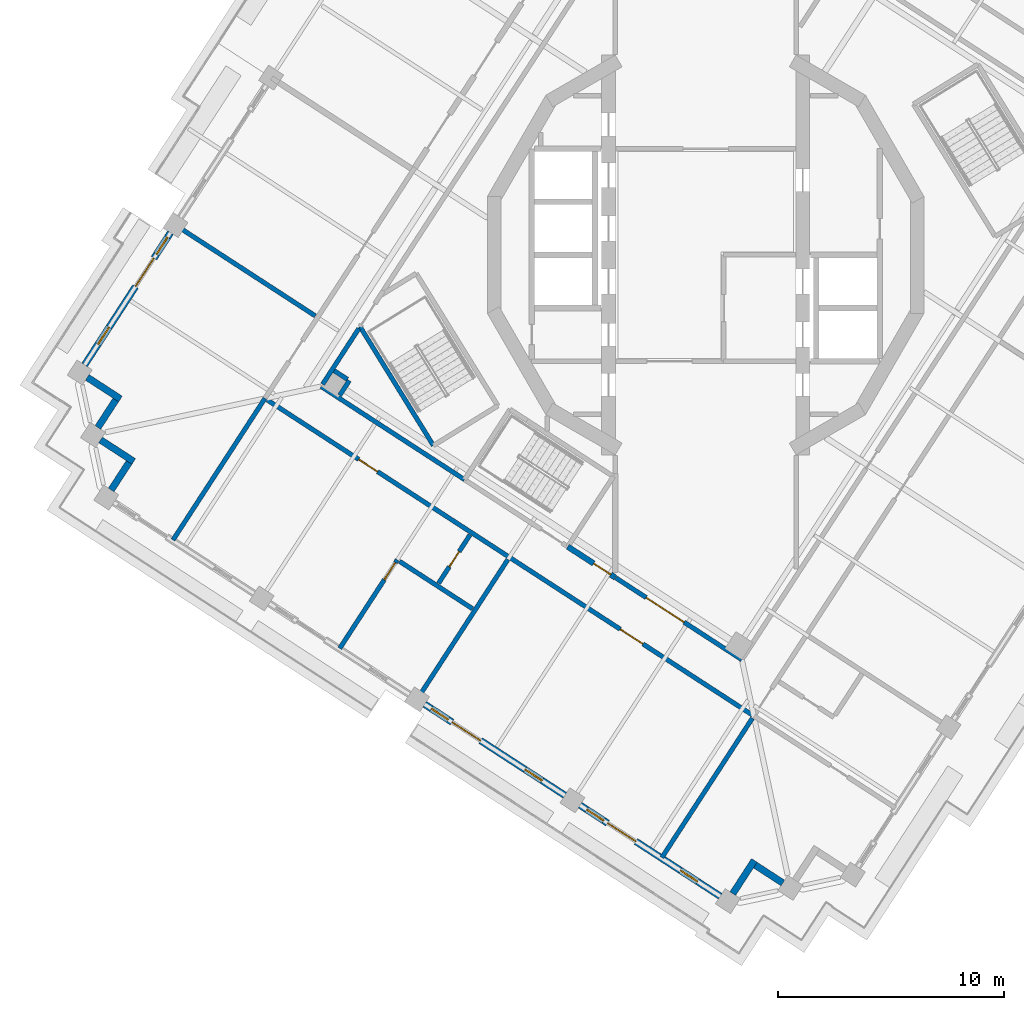
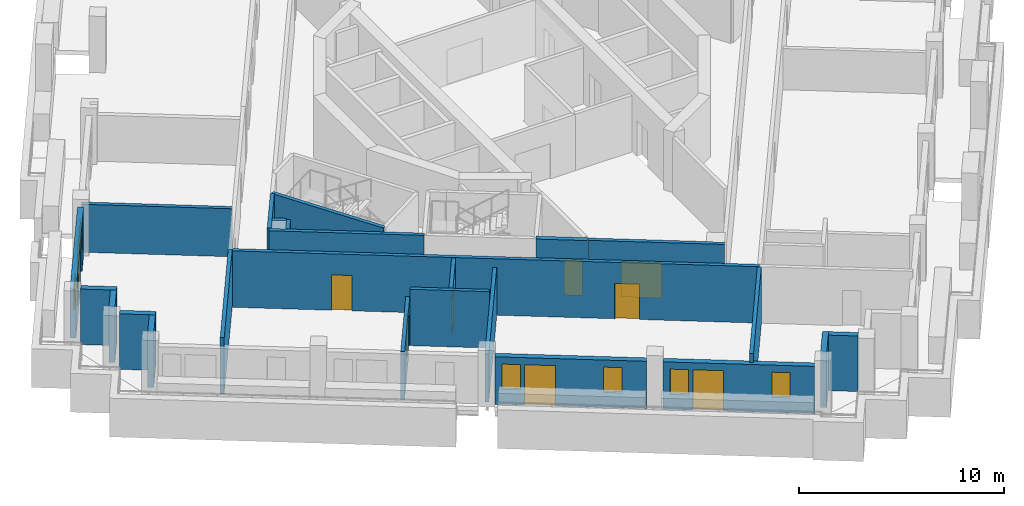
# One storey, part 4 of 15: 24 walls, 9 doors, 6 windows, 15 openings.
"""IFC4 building model written with IfcOpenShell, lengths in metres."""

from ifc_helpers import new_model, si_unit, direction, frame, frame_2d, origin, place, context, subcontext, project, spatial, rectangle, extrude, material, layer, layer_set, type_object, element, fill, save


model = new_model("IFC4")

# Units and contexts
model_context = context("Model", 3, precision=1e-05, world=origin(), true_north=direction((0.0, 1.0)))
body_context = subcontext(model_context, "Body", "Model", "MODEL_VIEW")
ifc_project = project(units=[si_unit("LENGTHUNIT", "METRE"), si_unit("AREAUNIT", "SQUARE_METRE"), si_unit("VOLUMEUNIT", "CUBIC_METRE"), si_unit("PLANEANGLEUNIT", "RADIAN"), si_unit("MASSUNIT", "GRAM", prefix="KILO")], contexts=[model_context])

# Site, building, storey
site_placement = place(None, origin())
site = spatial("IfcSite", under=ifc_project, at=site_placement, CompositionType="ELEMENT")
building_placement = place(site_placement, origin())
building = spatial("IfcBuilding", under=site, at=building_placement, Name="Cantera Rosa Tower", CompositionType="ELEMENT")
storey_placement = place(building_placement, frame((0.0, 0.0, 282.89990234375)))
storey = spatial("IfcBuildingStorey", under=building, at=storey_placement, Name="L64", CompositionType="ELEMENT", Elevation=282.89990234375)

# Wall, openings, doors
ifc_material_1 = material(Name="Gypsum board partition")
ifc_layer_1 = layer(ifc_material_1, 0.199951171875)
ifc_layer_set_1 = layer_set([ifc_layer_1], Name="CORRIDOR WALL 200 H3350")
wall_type_1 = type_object("IfcWallType", Name="CORRIDOR WALL 200 H3350", PredefinedType="PARTITIONING", material=ifc_layer_set_1)
wall_1_placement = place(storey_placement, frame((-19.4052734375, -6.416259765625, 0.0), z_axis=(0.0, 0.0, 1.0), x_axis=(0.83867117695, -0.544638097229, 0.0)))
wall_1 = element("IfcWall", 1, at=wall_1_placement, inside=storey, type_object=wall_type_1, Name="CORRIDOR WALL L64-002", PredefinedType="PARTITIONING", context=body_context, shape_type="SweptSolid", body=[
    extrude(rectangle(XDim=25.679931640625, YDim=0.199951171875, at=frame_2d((12.83984375, 0.0))), origin(), (0.0, 0.0, 1.0), 3.35009765625),
])
opening_1_placement = place(wall_1_placement, frame((18.6298828125, 0.0, 0.0)))
opening_1 = element("IfcOpeningElement", 2, at=opening_1_placement, cuts=wall_1, Name="Opening L64-029", PredefinedType="OPENING", context=body_context, shape_type="SweptSolid", body=[
    extrude(rectangle(XDim=1.199951171875, YDim=2.10009765625, at=frame_2d((0.60009765625, 1.050048828125))), frame((0.0, 0.10986328125, 0.0), z_axis=(0.0, -1.0, 0.0), x_axis=(1.0, 0.0, 0.0)), (0.0, 0.0, 1.0), 0.219970703125),
])
opening_2_placement = place(wall_1_placement, frame((4.830078125, 0.0, 0.0)))
opening_2 = element("IfcOpeningElement", 3, at=opening_2_placement, cuts=wall_1, Name="Opening L64-030", PredefinedType="OPENING", context=body_context, shape_type="SweptSolid", body=[
    extrude(rectangle(XDim=1.0, YDim=2.10009765625, at=frame_2d((0.5, 1.050048828125))), frame((0.0, 0.10986328125, 0.0), z_axis=(0.0, -1.0, 0.0), x_axis=(1.0, 0.0, 0.0)), (0.0, 0.0, 1.0), 0.219970703125),
])
ifc_material_2 = material(Name="Timber door leaf", Category="wood")
door_type_1 = type_object("IfcDoorType", Name="ENTRANCE DOOR 1000x2100", OperationType="NOTDEFINED", PredefinedType="DOOR", material=ifc_material_2)
door_1_placement = place(opening_2_placement, origin())
door_1 = element("IfcDoor", 4, at=door_1_placement, inside=storey, type_object=door_type_1, Name="DOOR L64-030", OperationType="NOTDEFINED", OverallHeight=2.10009765625, OverallWidth=1.0, PredefinedType="DOOR", context=body_context, shape_type="SweptSolid", body=[
    extrude(rectangle(XDim=1.0, YDim=2.10009765625, at=frame_2d((0.5, 1.050048828125))), frame((0.0, 0.02490234375, 0.0), z_axis=(0.0, -1.0, 0.0), x_axis=(1.0, 0.0, 0.0)), (0.0, 0.0, 1.0), 0.050048828125),
])
fill(opening_2, door_1)
ifc_material_3 = material(Name="Timber door leaf", Category="wood")
door_type_2 = type_object("IfcDoorType", Name="ROOM DOOR 1200x2100", OperationType="NOTDEFINED", PredefinedType="DOOR", material=ifc_material_3)
door_2_placement = place(opening_1_placement, origin())
door_2 = element("IfcDoor", 5, at=door_2_placement, inside=storey, type_object=door_type_2, Name="DOOR L64-029", OperationType="NOTDEFINED", OverallHeight=2.10009765625, OverallWidth=1.199951171875, PredefinedType="DOOR", context=body_context, shape_type="SweptSolid", body=[
    extrude(rectangle(XDim=1.199951171875, YDim=2.10009765625, at=frame_2d((0.60009765625, 1.050048828125))), frame((0.0, 0.02490234375, 0.0), z_axis=(0.0, -1.0, 0.0), x_axis=(1.0, 0.0, 0.0)), (0.0, 0.0, 1.0), 0.050048828125),
])
fill(opening_1, door_2)

# Walls
wall_2_placement = place(storey_placement, frame((-17.015869140625, -5.82177734375, 0.0), z_axis=(0.0, 0.0, 1.0), x_axis=(0.838672854678, -0.544635513739, 0.0)))
element("IfcWall", 6, at=wall_2_placement, inside=storey, type_object=wall_type_1, Name="CORRIDOR WALL L64-005", PredefinedType="PARTITIONING", context=body_context, shape_type="SweptSolid", body=[
    extrude(rectangle(XDim=7.56494140625, YDim=0.199951171875, at=frame_2d((3.782470703125, 0.0))), origin(), (0.0, 0.0, 1.0), 3.35009765625),
])
wall_3_placement = place(storey_placement, frame((-15.349853515625, -3.256103515625, 0.0), z_axis=(0.0, 0.0, 1.0), x_axis=(-0.544576607641, -0.838711105453, 0.0)))
element("IfcWall", 7, at=wall_3_placement, inside=storey, type_object=wall_type_1, Name="CORRIDOR WALL L64-009", PredefinedType="PARTITIONING", context=body_context, shape_type="SweptSolid", body=[
    extrude(rectangle(XDim=2.939208984375, YDim=0.199951171875, at=frame_2d((1.4697265625, 0.0))), origin(), (0.0, 0.0, 1.0), 3.35009765625),
])

# Wall, opening, door
wall_4_placement = place(storey_placement, frame((-3.983154296875, -14.28515625, 0.0), z_axis=(0.0, 0.0, 1.0), x_axis=(0.838667157642, -0.544644286387, 0.0)))
wall_4 = element("IfcWall", 8, at=wall_4_placement, inside=storey, type_object=wall_type_1, Name="CORRIDOR WALL L64-037", PredefinedType="PARTITIONING", context=body_context, shape_type="SweptSolid", body=[
    extrude(rectangle(XDim=6.66015625, YDim=0.199951171875, at=frame_2d((3.330078125, 0.0))), origin(), (0.0, 0.0, 1.0), 3.35009765625),
])
opening_3_placement = place(wall_4_placement, frame((1.6103515625, 0.0, 0.0)))
opening_3 = element("IfcOpeningElement", 9, at=opening_3_placement, cuts=wall_4, Name="Opening L64-010", PredefinedType="OPENING", context=body_context, shape_type="SweptSolid", body=[
    extrude(rectangle(XDim=2.0, YDim=2.10009765625, at=frame_2d((1.0, 1.050048828125))), frame((0.0, 0.10986328125, 0.0), z_axis=(0.0, -1.0, 0.0), x_axis=(1.0, 0.0, 0.0)), (0.0, 0.0, 1.0), 0.219970703125),
])
ifc_material_4 = material(Name="Steel S355J2 (EN 10025-2)", Category="steel")
door_type_3 = type_object("IfcDoorType", Name="LOBBY SCREEN DOOR 2000x2100", OperationType="NOTDEFINED", PredefinedType="DOOR", material=ifc_material_4)
door_3_placement = place(opening_3_placement, origin())
door_3 = element("IfcDoor", 10, at=door_3_placement, inside=storey, type_object=door_type_3, Name="DOOR L64-010", OperationType="NOTDEFINED", OverallHeight=2.10009765625, OverallWidth=2.0, PredefinedType="DOOR", context=body_context, shape_type="SweptSolid", body=[
    extrude(rectangle(XDim=2.0, YDim=2.10009765625, at=frame_2d((1.0, 1.050048828125))), frame((0.0, 0.02490234375, 0.0), z_axis=(0.0, -1.0, 0.0), x_axis=(1.0, 0.0, 0.0)), (0.0, 0.0, 1.0), 0.050048828125),
])
fill(opening_3, door_3)

# Walls
ifc_material_5 = material(Name="Hollow clay masonry with cantera stone cladding", Category="masonry")
ifc_layer_2 = layer(ifc_material_5, 0.300048828125)
ifc_layer_set_2 = layer_set([ifc_layer_2], Name="EW-LOGGIA 300")
wall_type_2 = type_object("IfcWallType", Name="EW-LOGGIA 300", PredefinedType="SOLIDWALL", material=ifc_layer_set_2)
wall_5_placement = place(storey_placement, frame((-27.36669921875, -5.41943359375, 0.0), z_axis=(0.0, 0.0, 1.0), x_axis=(0.838685761837, -0.54461563776, 0.0)))
element("IfcWall", 11, at=wall_5_placement, inside=storey, type_object=wall_type_2, Name="EN-L64-W12a", PredefinedType="SOLIDWALL", context=body_context, shape_type="SweptSolid", body=[
    extrude(rectangle(XDim=1.75, YDim=0.300048828125, at=frame_2d((0.875, 0.0))), origin(), (0.0, 0.0, 1.0), 3.300048828125),
])
wall_6_placement = place(storey_placement, frame((-26.1064453125, -6.41650390625, 0.0), z_axis=(0.0, 0.0, 1.0), x_axis=(-0.54467465438, -0.838647435384, 0.0)))
element("IfcWall", 12, at=wall_6_placement, inside=storey, type_object=wall_type_2, Name="EN-L64-W12b", PredefinedType="SOLIDWALL", context=body_context, shape_type="SweptSolid", body=[
    extrude(rectangle(XDim=1.449951171875, YDim=0.300048828125, at=frame_2d((0.72509765625, 0.0))), origin(), (0.0, 0.0, 1.0), 3.300048828125),
])
wall_7_placement = place(storey_placement, frame((-26.778564453125, -8.18603515625, 0.0), z_axis=(0.0, 0.0, 1.0), x_axis=(0.838685761837, -0.54461563776, 0.0)))
element("IfcWall", 13, at=wall_7_placement, inside=storey, type_object=wall_type_2, Name="EN-L64-W13a", PredefinedType="SOLIDWALL", context=body_context, shape_type="SweptSolid", body=[
    extrude(rectangle(XDim=1.75, YDim=0.300048828125, at=frame_2d((0.875, 0.0))), origin(), (0.0, 0.0, 1.0), 3.300048828125),
])
wall_8_placement = place(storey_placement, frame((-25.518310546875, -9.18310546875, 0.0), z_axis=(0.0, 0.0, 1.0), x_axis=(-0.54467465438, -0.838647435384, 0.0)))
element("IfcWall", 14, at=wall_8_placement, inside=storey, type_object=wall_type_2, Name="EN-L64-W13b", PredefinedType="SOLIDWALL", context=body_context, shape_type="SweptSolid", body=[
    extrude(rectangle(XDim=1.449951171875, YDim=0.300048828125, at=frame_2d((0.72509765625, 0.0))), origin(), (0.0, 0.0, 1.0), 3.300048828125),
])
wall_9_placement = place(storey_placement, frame((1.2001953125, -28.263427734375, 0.0), z_axis=(0.0, 0.0, 1.0), x_axis=(0.54461563776, 0.838685761837, 0.0)))
element("IfcWall", 15, at=wall_9_placement, inside=storey, type_object=wall_type_2, Name="EN-L64-W18a", PredefinedType="SOLIDWALL", context=body_context, shape_type="SweptSolid", body=[
    extrude(rectangle(XDim=1.75, YDim=0.300048828125, at=frame_2d((0.875, 0.0))), origin(), (0.0, 0.0, 1.0), 3.300048828125),
])
wall_10_placement = place(storey_placement, frame((2.197509765625, -27.003173828125, 0.0), z_axis=(0.0, 0.0, 1.0), x_axis=(0.838647435384, -0.54467465438, 0.0)))
element("IfcWall", 16, at=wall_10_placement, inside=storey, type_object=wall_type_2, Name="EN-L64-W18b", PredefinedType="SOLIDWALL", context=body_context, shape_type="SweptSolid", body=[
    extrude(rectangle(XDim=1.449951171875, YDim=0.300048828125, at=frame_2d((0.72509765625, 0.0))), origin(), (0.0, 0.0, 1.0), 3.300048828125),
])

# Wall, openings, windows, door
ifc_material_6 = material(Name="Hollow clay masonry with cantera stone cladding", Category="masonry")
ifc_layer_3 = layer(ifc_material_6, 0.300048828125)
ifc_layer_set_3 = layer_set([ifc_layer_3], Name="EW-LOGGIA 300 H2820")
wall_type_3 = type_object("IfcWallType", Name="EW-LOGGIA 300 H2820", PredefinedType="SOLIDWALL", material=ifc_layer_set_3)
wall_11_placement = place(storey_placement, frame((-12.436279296875, -19.884765625, 0.0), z_axis=(0.0, 0.0, 1.0), x_axis=(0.838669679097, -0.544640403719, 0.0)))
wall_11 = element("IfcWall", 17, at=wall_11_placement, inside=storey, type_object=wall_type_3, Name="EN-L64-W16", PredefinedType="SOLIDWALL", context=body_context, shape_type="SweptSolid", body=[
    extrude(rectangle(XDim=7.39990234375, YDim=0.300048828125, at=frame_2d((3.699951171875, 0.0))), origin(), (0.0, 0.0, 1.0), 2.820068359375),
])
opening_4_placement = place(wall_11_placement, frame((0.35009765625, 0.0, 0.89990234375)))
opening_4 = element("IfcOpeningElement", 18, at=opening_4_placement, cuts=wall_11, Name="Opening L64-W28", PredefinedType="OPENING", context=body_context, shape_type="SweptSolid", body=[
    extrude(rectangle(XDim=0.89990234375, YDim=1.5, at=frame_2d((0.449951171875, 0.75))), frame((0.0, 0.159912109375, 0.0), z_axis=(0.0, -1.0, 0.0), x_axis=(1.0, 0.0, 0.0)), (0.0, 0.0, 1.0), 0.320068359375),
])
opening_5_placement = place(wall_11_placement, frame((1.449951171875, 0.0, 0.0)))
opening_5 = element("IfcOpeningElement", 19, at=opening_5_placement, cuts=wall_11, Name="Opening L64-TD29", PredefinedType="OPENING", context=body_context, shape_type="SweptSolid", body=[
    extrude(rectangle(XDim=1.5, YDim=2.39990234375, at=frame_2d((0.75, 1.199951171875))), frame((0.0, 0.159912109375, 0.0), z_axis=(0.0, -1.0, 0.0), x_axis=(1.0, 0.0, 0.0)), (0.0, 0.0, 1.0), 0.320068359375),
])
opening_6_placement = place(wall_11_placement, frame((5.300048828125, 0.0, 0.89990234375)))
opening_6 = element("IfcOpeningElement", 20, at=opening_6_placement, cuts=wall_11, Name="Opening L64-W30", PredefinedType="OPENING", context=body_context, shape_type="SweptSolid", body=[
    extrude(rectangle(XDim=0.89990234375, YDim=1.5, at=frame_2d((0.449951171875, 0.75))), frame((0.0, 0.159912109375, 0.0), z_axis=(0.0, -1.0, 0.0), x_axis=(1.0, 0.0, 0.0)), (0.0, 0.0, 1.0), 0.320068359375),
])
ifc_material_7 = material(Name="Aluminium frame with clear glass", Category="aluminium")
window_type = type_object("IfcWindowType", Name="Residential window 900x1500", PartitioningType="SINGLE_PANEL", PredefinedType="WINDOW", material=ifc_material_7)
window_1_placement = place(opening_4_placement, origin())
window_1 = element("IfcWindow", 21, at=window_1_placement, inside=storey, type_object=window_type, Name="WINDOW L64-W28", OverallHeight=1.5, OverallWidth=0.89990234375, PartitioningType="SINGLE_PANEL", PredefinedType="WINDOW", context=body_context, shape_type="SweptSolid", body=[
    extrude(rectangle(XDim=0.89990234375, YDim=1.5, at=frame_2d((0.449951171875, 0.75))), frame((0.0, 0.030029296875, 0.0), z_axis=(0.0, -1.0, 0.0), x_axis=(1.0, 0.0, 0.0)), (0.0, 0.0, 1.0), 0.06005859375),
])
fill(opening_4, window_1)
window_2_placement = place(opening_6_placement, origin())
window_2 = element("IfcWindow", 22, at=window_2_placement, inside=storey, type_object=window_type, Name="WINDOW L64-W30", OverallHeight=1.5, OverallWidth=0.89990234375, PartitioningType="SINGLE_PANEL", PredefinedType="WINDOW", context=body_context, shape_type="SweptSolid", body=[
    extrude(rectangle(XDim=0.89990234375, YDim=1.5, at=frame_2d((0.449951171875, 0.75))), frame((0.0, 0.030029296875, 0.0), z_axis=(0.0, -1.0, 0.0), x_axis=(1.0, 0.0, 0.0)), (0.0, 0.0, 1.0), 0.06005859375),
])
fill(opening_6, window_2)
ifc_material_8 = material(Name="Aluminium frame with clear glass", Category="aluminium")
door_type_4 = type_object("IfcDoorType", Name="TD-R 1500x2400", OperationType="NOTDEFINED", PredefinedType="DOOR", material=ifc_material_8)
door_4_placement = place(opening_5_placement, origin())
door_4 = element("IfcDoor", 23, at=door_4_placement, inside=storey, type_object=door_type_4, Name="LOGGIA DOOR L64-TD29", OperationType="SLIDING_TO_LEFT", OverallHeight=2.39990234375, OverallWidth=1.5, PredefinedType="DOOR", context=body_context, shape_type="SweptSolid", body=[
    extrude(rectangle(XDim=1.5, YDim=2.39990234375, at=frame_2d((0.75, 1.199951171875))), frame((0.0, 0.02490234375, 0.0), z_axis=(0.0, -1.0, 0.0), x_axis=(1.0, 0.0, 0.0)), (0.0, 0.0, 1.0), 0.050048828125),
])
fill(opening_5, door_4)

wall_12_placement = place(storey_placement, frame((-5.559326171875, -24.350830078125, 0.0), z_axis=(0.0, 0.0, 1.0), x_axis=(0.838679465365, -0.544625333946, 0.0)))
wall_12 = element("IfcWall", 24, at=wall_12_placement, inside=storey, type_object=wall_type_3, Name="EN-L64-W17", PredefinedType="SOLIDWALL", context=body_context, shape_type="SweptSolid", body=[
    extrude(rectangle(XDim=7.400146484375, YDim=0.300048828125, at=frame_2d((3.7001953125, 0.0))), origin(), (0.0, 0.0, 1.0), 2.820068359375),
])
opening_7_placement = place(wall_12_placement, frame((0.35009765625, 0.0, 0.89990234375)))
opening_7 = element("IfcOpeningElement", 25, at=opening_7_placement, cuts=wall_12, Name="Opening L64-W31", PredefinedType="OPENING", context=body_context, shape_type="SweptSolid", body=[
    extrude(rectangle(XDim=0.89990234375, YDim=1.5, at=frame_2d((0.449951171875, 0.75))), frame((0.0, 0.159912109375, 0.0), z_axis=(0.0, -1.0, 0.0), x_axis=(1.0, 0.0, 0.0)), (0.0, 0.0, 1.0), 0.320068359375),
])
opening_8_placement = place(wall_12_placement, frame((1.449951171875, 0.0, 0.0)))
opening_8 = element("IfcOpeningElement", 26, at=opening_8_placement, cuts=wall_12, Name="Opening L64-TD32", PredefinedType="OPENING", context=body_context, shape_type="SweptSolid", body=[
    extrude(rectangle(XDim=1.5, YDim=2.39990234375, at=frame_2d((0.75, 1.199951171875))), frame((0.0, 0.159912109375, 0.0), z_axis=(0.0, -1.0, 0.0), x_axis=(1.0, 0.0, 0.0)), (0.0, 0.0, 1.0), 0.320068359375),
])
opening_9_placement = place(wall_12_placement, frame((5.300048828125, 0.0, 0.89990234375)))
opening_9 = element("IfcOpeningElement", 27, at=opening_9_placement, cuts=wall_12, Name="Opening L64-W33", PredefinedType="OPENING", context=body_context, shape_type="SweptSolid", body=[
    extrude(rectangle(XDim=0.89990234375, YDim=1.5, at=frame_2d((0.449951171875, 0.75))), frame((0.0, 0.159912109375, 0.0), z_axis=(0.0, -1.0, 0.0), x_axis=(1.0, 0.0, 0.0)), (0.0, 0.0, 1.0), 0.320068359375),
])
window_3_placement = place(opening_7_placement, origin())
window_3 = element("IfcWindow", 28, at=window_3_placement, inside=storey, type_object=window_type, Name="WINDOW L64-W31", OverallHeight=1.5, OverallWidth=0.89990234375, PartitioningType="SINGLE_PANEL", PredefinedType="WINDOW", context=body_context, shape_type="SweptSolid", body=[
    extrude(rectangle(XDim=0.89990234375, YDim=1.5, at=frame_2d((0.449951171875, 0.75))), frame((0.0, 0.030029296875, 0.0), z_axis=(0.0, -1.0, 0.0), x_axis=(1.0, 0.0, 0.0)), (0.0, 0.0, 1.0), 0.06005859375),
])
fill(opening_7, window_3)
window_4_placement = place(opening_9_placement, origin())
window_4 = element("IfcWindow", 29, at=window_4_placement, inside=storey, type_object=window_type, Name="WINDOW L64-W33", OverallHeight=1.5, OverallWidth=0.89990234375, PartitioningType="SINGLE_PANEL", PredefinedType="WINDOW", context=body_context, shape_type="SweptSolid", body=[
    extrude(rectangle(XDim=0.89990234375, YDim=1.5, at=frame_2d((0.449951171875, 0.75))), frame((0.0, 0.030029296875, 0.0), z_axis=(0.0, -1.0, 0.0), x_axis=(1.0, 0.0, 0.0)), (0.0, 0.0, 1.0), 0.06005859375),
])
fill(opening_9, window_4)
door_5_placement = place(opening_8_placement, origin())
door_5 = element("IfcDoor", 30, at=door_5_placement, inside=storey, type_object=door_type_4, Name="LOGGIA DOOR L64-TD32", OperationType="SLIDING_TO_LEFT", OverallHeight=2.39990234375, OverallWidth=1.5, PredefinedType="DOOR", context=body_context, shape_type="SweptSolid", body=[
    extrude(rectangle(XDim=1.5, YDim=2.39990234375, at=frame_2d((0.75, 1.199951171875))), frame((0.0, 0.02490234375, 0.0), z_axis=(0.0, -1.0, 0.0), x_axis=(1.0, 0.0, 0.0)), (0.0, 0.0, 1.0), 0.050048828125),
])
fill(opening_8, door_5)

ifc_material_9 = material(Name="Hollow clay masonry with cantera stone cladding", Category="masonry")
ifc_layer_4 = layer(ifc_material_9, 0.300048828125)
ifc_layer_set_4 = layer_set([ifc_layer_4], Name="EW-LOGGIA 300 H2890")
wall_type_4 = type_object("IfcWallType", Name="EW-LOGGIA 300 H2890", PredefinedType="SOLIDWALL", material=ifc_layer_set_4)
wall_13_placement = place(storey_placement, frame((-23.6826171875, 0.98779296875, 0.0), z_axis=(0.0, 0.0, 1.0), x_axis=(-0.544667428764, -0.838652128146, 0.0)))
wall_13 = element("IfcWall", 31, at=wall_13_placement, inside=storey, type_object=wall_type_4, Name="EN-L64-W11", PredefinedType="SOLIDWALL", context=body_context, shape_type="SweptSolid", body=[
    extrude(rectangle(XDim=6.97998046875, YDim=0.300048828125, at=frame_2d((3.489990234375, 0.0))), origin(), (0.0, 0.0, 1.0), 2.89013671875),
])
opening_10_placement = place(wall_13_placement, frame((0.2451171875, 0.0, 0.89990234375)))
opening_10 = element("IfcOpeningElement", 32, at=opening_10_placement, cuts=wall_13, Name="Opening L64-W19", PredefinedType="OPENING", context=body_context, shape_type="SweptSolid", body=[
    extrude(rectangle(XDim=0.89990234375, YDim=1.5, at=frame_2d((0.449951171875, 0.75))), frame((0.0, 0.159912109375, 0.0), z_axis=(0.0, -1.0, 0.0), x_axis=(1.0, 0.0, 0.0)), (0.0, 0.0, 1.0), 0.320068359375),
])
opening_11_placement = place(wall_13_placement, frame((1.344970703125, 0.0, 0.0)))
opening_11 = element("IfcOpeningElement", 33, at=opening_11_placement, cuts=wall_13, Name="Opening L64-TD20", PredefinedType="OPENING", context=body_context, shape_type="SweptSolid", body=[
    extrude(rectangle(XDim=1.5, YDim=2.39990234375, at=frame_2d((0.75, 1.199951171875))), frame((0.0, 0.159912109375, 0.0), z_axis=(0.0, -1.0, 0.0), x_axis=(1.0, 0.0, 0.0)), (0.0, 0.0, 1.0), 0.320068359375),
])
opening_12_placement = place(wall_13_placement, frame((4.985107421875, 0.0, 0.89990234375)))
opening_12 = element("IfcOpeningElement", 34, at=opening_12_placement, cuts=wall_13, Name="Opening L64-W21", PredefinedType="OPENING", context=body_context, shape_type="SweptSolid", body=[
    extrude(rectangle(XDim=0.89990234375, YDim=1.5, at=frame_2d((0.449951171875, 0.75))), frame((0.0, 0.159912109375, 0.0), z_axis=(0.0, -1.0, 0.0), x_axis=(1.0, 0.0, 0.0)), (0.0, 0.0, 1.0), 0.320068359375),
])
window_5_placement = place(opening_10_placement, origin())
window_5 = element("IfcWindow", 35, at=window_5_placement, inside=storey, type_object=window_type, Name="WINDOW L64-W19", OverallHeight=1.5, OverallWidth=0.89990234375, PartitioningType="SINGLE_PANEL", PredefinedType="WINDOW", context=body_context, shape_type="SweptSolid", body=[
    extrude(rectangle(XDim=0.89990234375, YDim=1.5, at=frame_2d((0.449951171875, 0.75))), frame((0.0, 0.030029296875, 0.0), z_axis=(0.0, -1.0, 0.0), x_axis=(1.0, 0.0, 0.0)), (0.0, 0.0, 1.0), 0.06005859375),
])
fill(opening_10, window_5)
window_6_placement = place(opening_12_placement, origin())
window_6 = element("IfcWindow", 36, at=window_6_placement, inside=storey, type_object=window_type, Name="WINDOW L64-W21", OverallHeight=1.5, OverallWidth=0.89990234375, PartitioningType="SINGLE_PANEL", PredefinedType="WINDOW", context=body_context, shape_type="SweptSolid", body=[
    extrude(rectangle(XDim=0.89990234375, YDim=1.5, at=frame_2d((0.449951171875, 0.75))), frame((0.0, 0.030029296875, 0.0), z_axis=(0.0, -1.0, 0.0), x_axis=(1.0, 0.0, 0.0)), (0.0, 0.0, 1.0), 0.06005859375),
])
fill(opening_12, window_6)
door_6_placement = place(opening_11_placement, origin())
door_6 = element("IfcDoor", 37, at=door_6_placement, inside=storey, type_object=door_type_4, Name="LOGGIA DOOR L64-TD20", OperationType="SLIDING_TO_LEFT", OverallHeight=2.39990234375, OverallWidth=1.5, PredefinedType="DOOR", context=body_context, shape_type="SweptSolid", body=[
    extrude(rectangle(XDim=1.5, YDim=2.39990234375, at=frame_2d((0.75, 1.199951171875))), frame((0.0, 0.02490234375, 0.0), z_axis=(0.0, -1.0, 0.0), x_axis=(1.0, 0.0, 0.0)), (0.0, 0.0, 1.0), 0.050048828125),
])
fill(opening_11, door_6)

# Wall
ifc_material_10 = material(Name="Gypsum board partition")
ifc_layer_5 = layer(ifc_material_10, 0.199951171875)
ifc_layer_set_5 = layer_set([ifc_layer_5], Name="PARTITION 200 H2850")
wall_type_5 = type_object("IfcWallType", Name="PARTITION 200 H2850", PredefinedType="PARTITIONING", material=ifc_layer_set_5)
wall_14_placement = place(storey_placement, frame((-17.275390625, -2.696044921875, 0.0), z_axis=(0.0, 0.0, 1.0), x_axis=(-0.838684106336, 0.544618187155, 0.0)))
element("IfcWall", 38, at=wall_14_placement, inside=storey, type_object=wall_type_5, Name="PARTITION L64-004", PredefinedType="PARTITIONING", context=body_context, shape_type="SweptSolid", body=[
    extrude(rectangle(XDim=7.349853515625, YDim=0.199951171875, at=frame_2d((3.6748046875, 0.0))), origin(), (0.0, 0.0, 1.0), 2.85009765625),
])

# Wall, opening, door
wall_15_placement = place(storey_placement, frame((-16.194091796875, -17.40869140625, 0.0), z_axis=(0.0, 0.0, 1.0), x_axis=(0.544683283636, 0.838641830895, 0.0)))
wall_15 = element("IfcWall", 39, at=wall_15_placement, inside=storey, type_object=wall_type_5, Name="PARTITION L64-007", PredefinedType="PARTITIONING", context=body_context, shape_type="SweptSolid", body=[
    extrude(rectangle(XDim=4.670166015625, YDim=0.199951171875, at=frame_2d((2.3349609375, 0.0))), origin(), (0.0, 0.0, 1.0), 2.85009765625),
])
opening_13_placement = place(wall_15_placement, frame((3.6201171875, 0.0, 0.0)))
opening_13 = element("IfcOpeningElement", 40, at=opening_13_placement, cuts=wall_15, Name="Opening L64-032", PredefinedType="OPENING", context=body_context, shape_type="SweptSolid", body=[
    extrude(rectangle(XDim=0.89990234375, YDim=2.10009765625, at=frame_2d((0.449951171875, 1.050048828125))), frame((0.0, 0.10986328125, 0.0), z_axis=(0.0, -1.0, 0.0), x_axis=(1.0, 0.0, 0.0)), (0.0, 0.0, 1.0), 0.219970703125),
])
ifc_material_11 = material(Name="Timber door leaf", Category="wood")
door_type_5 = type_object("IfcDoorType", Name="ROOM DOOR 900x2100", OperationType="NOTDEFINED", PredefinedType="DOOR", material=ifc_material_11)
door_7_placement = place(opening_13_placement, origin())
door_7 = element("IfcDoor", 41, at=door_7_placement, inside=storey, type_object=door_type_5, Name="DOOR L64-032", OperationType="NOTDEFINED", OverallHeight=2.10009765625, OverallWidth=0.89990234375, PredefinedType="DOOR", context=body_context, shape_type="SweptSolid", body=[
    extrude(rectangle(XDim=0.89990234375, YDim=2.10009765625, at=frame_2d((0.449951171875, 1.050048828125))), frame((0.0, 0.02490234375, 0.0), z_axis=(0.0, -1.0, 0.0), x_axis=(1.0, 0.0, 0.0)), (0.0, 0.0, 1.0), 0.050048828125),
])
fill(opening_13, door_7)

# Walls
ifc_material_12 = material(Name="Gypsum board partition")
ifc_layer_6 = layer(ifc_material_12, 0.199951171875)
ifc_layer_set_6 = layer_set([ifc_layer_6], Name="PARTITION 200 H3350")
wall_type_6 = type_object("IfcWallType", Name="PARTITION 200 H3350", PredefinedType="PARTITIONING", material=ifc_layer_set_6)
wall_16_placement = place(storey_placement, frame((-16.19580078125, -6.211181640625, 0.0), z_axis=(0.0, 0.0, 1.0), x_axis=(0.544691230082, 0.838636669764, 0.0)))
element("IfcWall", 42, at=wall_16_placement, inside=storey, type_object=wall_type_6, Name="PARTITION L64-006", PredefinedType="PARTITIONING", context=body_context, shape_type="SweptSolid", body=[
    extrude(rectangle(XDim=0.77978515625, YDim=0.199951171875, at=frame_2d((0.389892578125, 0.0))), origin(), (0.0, 0.0, 1.0), 3.35009765625),
])
wall_17_placement = place(storey_placement, frame((-15.854736328125, -5.502685546875, 0.0), z_axis=(0.0, 0.0, 1.0), x_axis=(-0.838642734471, 0.544681892409, 0.0)))
element("IfcWall", 43, at=wall_17_placement, inside=storey, type_object=wall_type_6, Name="PARTITION L64-008", PredefinedType="PARTITIONING", context=body_context, shape_type="SweptSolid", body=[
    extrude(rectangle(XDim=0.7001953125, YDim=0.199951171875, at=frame_2d((0.35009765625, 0.0))), origin(), (0.0, 0.0, 1.0), 3.35009765625),
])
wall_18_placement = place(storey_placement, frame((-13.5498046875, -13.557373046875, 0.0), z_axis=(0.0, 0.0, 1.0), x_axis=(0.838674747919, -0.544632598366, 0.0)))
element("IfcWall", 44, at=wall_18_placement, inside=storey, type_object=wall_type_6, Name="PARTITION L64-012", PredefinedType="PARTITIONING", context=body_context, shape_type="SweptSolid", body=[
    extrude(rectangle(XDim=3.860107421875, YDim=0.199951171875, at=frame_2d((1.93017578125, 0.0))), origin(), (0.0, 0.0, 1.0), 3.35009765625),
])

# Wall, opening, door
wall_19_placement = place(storey_placement, frame((-11.823974609375, -14.53515625, 0.0), z_axis=(0.0, 0.0, 1.0), x_axis=(0.544646388536, 0.838665792468, 0.0)))
wall_19 = element("IfcWall", 45, at=wall_19_placement, inside=storey, type_object=wall_type_6, Name="PARTITION L64-015", PredefinedType="PARTITIONING", context=body_context, shape_type="SweptSolid", body=[
    extrude(rectangle(XDim=2.56005859375, YDim=0.199951171875, at=frame_2d((1.280029296875, 0.0))), origin(), (0.0, 0.0, 1.0), 3.35009765625),
])
opening_14_placement = place(wall_19_placement, frame((0.8798828125, 0.0, 0.0)))
opening_14 = element("IfcOpeningElement", 46, at=opening_14_placement, cuts=wall_19, Name="Opening L64-031", PredefinedType="OPENING", context=body_context, shape_type="SweptSolid", body=[
    extrude(rectangle(XDim=0.800048828125, YDim=2.10009765625, at=frame_2d((0.39990234375, 1.050048828125))), frame((0.0, 0.10986328125, 0.0), z_axis=(0.0, -1.0, 0.0), x_axis=(1.0, 0.0, 0.0)), (0.0, 0.0, 1.0), 0.219970703125),
])
ifc_material_13 = material(Name="Timber door leaf", Category="wood")
door_type_6 = type_object("IfcDoorType", Name="BATHROOM DOOR 800x2100", OperationType="NOTDEFINED", PredefinedType="DOOR", material=ifc_material_13)
door_8_placement = place(opening_14_placement, origin())
door_8 = element("IfcDoor", 47, at=door_8_placement, inside=storey, type_object=door_type_6, Name="DOOR L64-031", OperationType="NOTDEFINED", OverallHeight=2.10009765625, OverallWidth=0.800048828125, PredefinedType="DOOR", context=body_context, shape_type="SweptSolid", body=[
    extrude(rectangle(XDim=0.800048828125, YDim=2.10009765625, at=frame_2d((0.39990234375, 1.050048828125))), frame((0.0, 0.02490234375, 0.0), z_axis=(0.0, -1.0, 0.0), x_axis=(1.0, 0.0, 0.0)), (0.0, 0.0, 1.0), 0.050048828125),
])
fill(opening_14, door_8)

# Walls
ifc_material_14 = material(Name="Gypsum board partition")
ifc_layer_7 = layer(ifc_material_14, 0.199951171875)
ifc_layer_set_7 = layer_set([ifc_layer_7], Name="PARTY WALL 200 H2850")
wall_type_7 = type_object("IfcWallType", Name="PARTY WALL 200 H2850", PredefinedType="PARTITIONING", material=ifc_layer_set_7)
wall_20_placement = place(storey_placement, frame((-8.752197265625, -13.477294921875, 0.0), z_axis=(0.0, 0.0, 1.0), x_axis=(-0.544641550729, -0.838668934217, 0.0)))
element("IfcWall", 48, at=wall_20_placement, inside=storey, type_object=wall_type_7, Name="PARTY WALL L64-018", PredefinedType="PARTITIONING", context=body_context, shape_type="SweptSolid", body=[
    extrude(rectangle(XDim=7.35009765625, YDim=0.199951171875, at=frame_2d((3.675048828125, 0.0))), origin(), (0.0, 0.0, 1.0), 2.85009765625),
])
ifc_material_15 = material(Name="Gypsum board partition")
ifc_layer_8 = layer(ifc_material_15, 0.199951171875)
ifc_layer_set_8 = layer_set([ifc_layer_8], Name="PARTY WALL 200 H3350")
wall_type_8 = type_object("IfcWallType", Name="PARTY WALL 200 H3350", PredefinedType="PARTITIONING", material=ifc_layer_set_8)
wall_21_placement = place(storey_placement, frame((-19.505859375, -6.35107421875, 0.0), z_axis=(0.0, 0.0, 1.0), x_axis=(-0.544643659397, -0.838667564818, 0.0)))
element("IfcWall", 49, at=wall_21_placement, inside=storey, type_object=wall_type_8, Name="PARTY WALL L64-001", PredefinedType="PARTITIONING", context=body_context, shape_type="SweptSolid", body=[
    extrude(rectangle(XDim=7.4697265625, YDim=0.199951171875, at=frame_2d((3.73486328125, 0.0))), origin(), (0.0, 0.0, 1.0), 3.35009765625),
])
wall_22_placement = place(storey_placement, frame((-1.9365234375, -26.66748046875, 0.0), z_axis=(0.0, 0.0, 1.0), x_axis=(0.544633359557, 0.838674253604, 0.0)))
element("IfcWall", 50, at=wall_22_placement, inside=storey, type_object=wall_type_8, Name="PARTY WALL L64-046", PredefinedType="PARTITIONING", context=body_context, shape_type="SweptSolid", body=[
    extrude(rectangle(XDim=7.349853515625, YDim=0.199951171875, at=frame_2d((3.6748046875, 0.0))), origin(), (0.0, 0.0, 1.0), 3.35009765625),
])

# Wall, opening, door
ifc_material_16 = material(Name="Masonry blockwork", Category="masonry")
ifc_layer_9 = layer(ifc_material_16, 0.25)
ifc_layer_set_9 = layer_set([ifc_layer_9], Name="SHAFT WALL 250 H3350")
wall_type_9 = type_object("IfcWallType", Name="SHAFT WALL 250 H3350", PredefinedType="SOLIDWALL", material=ifc_layer_set_9)
wall_23_placement = place(storey_placement, frame((-6.1005859375, -12.91015625, 0.0), z_axis=(0.0, 0.0, 1.0), x_axis=(0.838648436529, -0.544673112892, 0.0)))
wall_23 = element("IfcWall", 51, at=wall_23_placement, inside=storey, type_object=wall_type_9, Name="SHAFT WALL L64-030", PredefinedType="SOLIDWALL", context=body_context, shape_type="SweptSolid", body=[
    extrude(rectangle(XDim=2.504638671875, YDim=0.25, at=frame_2d((1.25244140625, 0.0))), origin(), (0.0, 0.0, 1.0), 3.35009765625),
])
opening_15_placement = place(wall_23_placement, frame((1.36572265625, 0.0, 0.0)))
opening_15 = element("IfcOpeningElement", 52, at=opening_15_placement, cuts=wall_23, Name="Opening L64-006", PredefinedType="OPENING", context=body_context, shape_type="SweptSolid", body=[
    extrude(rectangle(XDim=0.89990234375, YDim=2.10009765625, at=frame_2d((0.449951171875, 1.050048828125))), frame((0.0, 0.135009765625, 0.0), z_axis=(0.0, -1.0, 0.0), x_axis=(1.0, 0.0, 0.0)), (0.0, 0.0, 1.0), 0.27001953125),
])
ifc_material_17 = material(Name="Timber door leaf", Category="wood")
door_type_7 = type_object("IfcDoorType", Name="SERVICE DOOR 900x2100", OperationType="NOTDEFINED", PredefinedType="DOOR", material=ifc_material_17)
door_9_placement = place(opening_15_placement, origin())
door_9 = element("IfcDoor", 53, at=door_9_placement, inside=storey, type_object=door_type_7, Name="RISER DOOR L64-006", OperationType="NOTDEFINED", OverallHeight=2.10009765625, OverallWidth=0.89990234375, PredefinedType="DOOR", context=body_context, shape_type="SweptSolid", body=[
    extrude(rectangle(XDim=0.89990234375, YDim=2.10009765625, at=frame_2d((0.449951171875, 1.050048828125))), frame((0.0, 0.02490234375, 0.0), z_axis=(0.0, -1.0, 0.0), x_axis=(1.0, 0.0, 0.0)), (0.0, 0.0, 1.0), 0.050048828125),
])
fill(opening_15, door_9)

# Wall
ifc_material_18 = material(Name="Concrete C50/60", Category="concrete")
ifc_layer_10 = layer(ifc_material_18, 0.199951171875)
ifc_layer_set_10 = layer_set([ifc_layer_10], Name="STAIR WALL 200 H3350")
wall_type_10 = type_object("IfcWallType", Name="STAIR WALL 200 H3350", PredefinedType="SOLIDWALL", material=ifc_layer_set_10)
wall_24_placement = place(storey_placement, frame((-15.29541015625, -3.17236328125, 0.0), z_axis=(0.0, 0.0, 1.0), x_axis=(0.524983142341, -0.851112624896, 0.0)))
element("IfcWall", 54, at=wall_24_placement, inside=storey, type_object=wall_type_10, Name="STAIR WALL L64-010", PredefinedType="SOLIDWALL", context=body_context, shape_type="SweptSolid", body=[
    extrude(rectangle(XDim=6.180419921875, YDim=0.199951171875, at=frame_2d((3.09033203125, 0.0))), origin(), (0.0, 0.0, 1.0), 3.35009765625),
])

save(model, "model.ifc")
